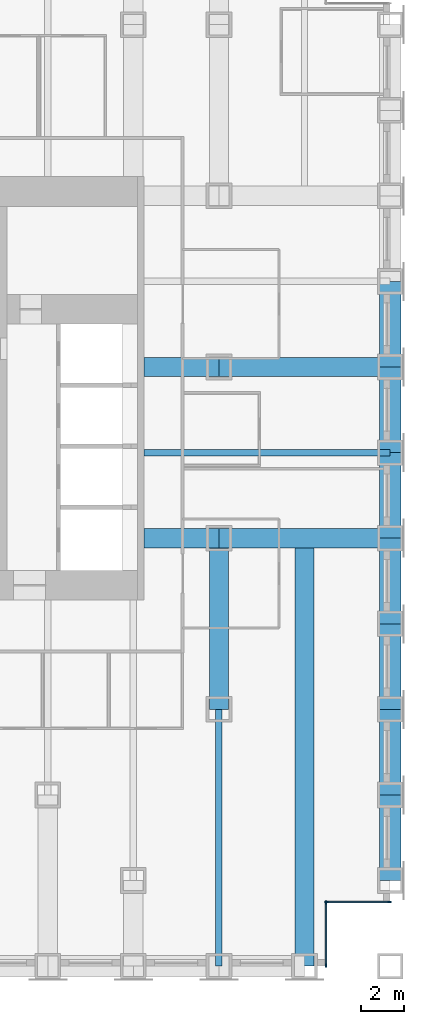
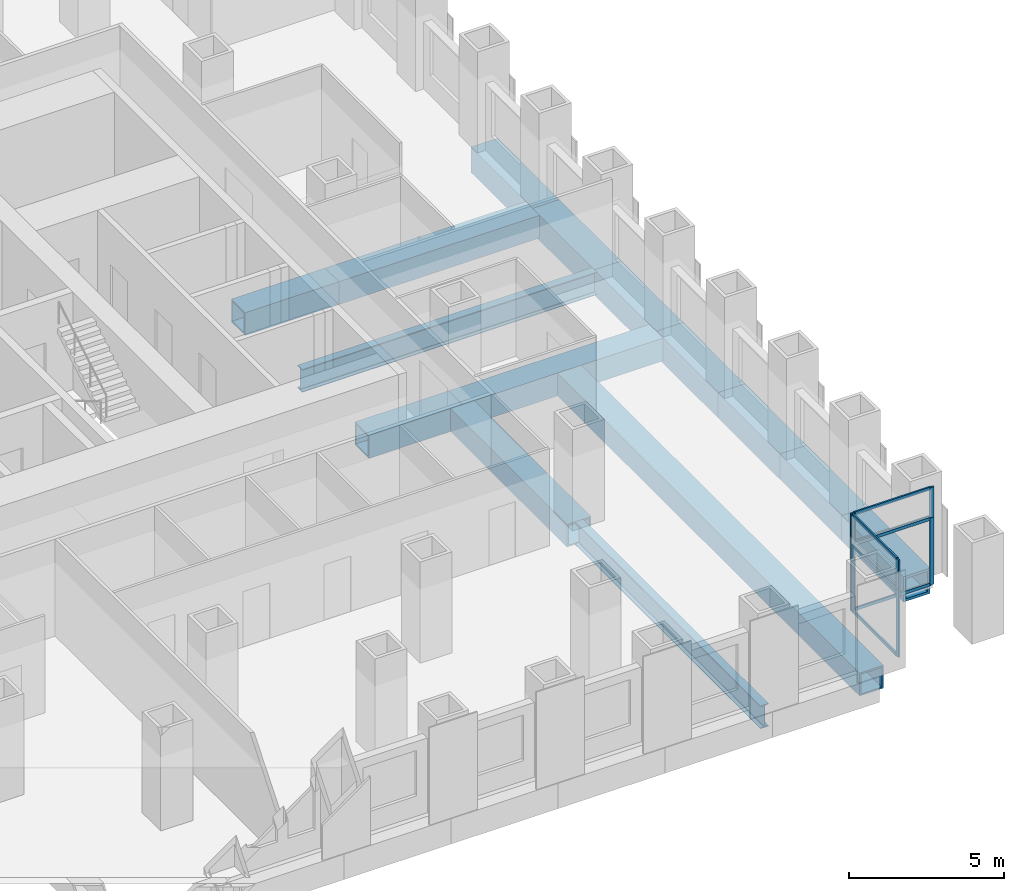
# One storey, part 4 of 15: 16 members, 15 beams, 4 elements without a shape of their own.
"""IFC4 building model written with IfcOpenShell, lengths in metres."""

from ifc_helpers import new_model, si_unit, direction, frame, origin, origin_2d, place, context, subcontext, project, spatial, rectangle, hollow_rectangle, i_section, extrude, material, material_profile, profile_set, type_object, element, aggregate, save


model = new_model("IFC4")

# Units and contexts
model_context = context("Model", 3, precision=1e-05, world=origin(), true_north=direction((0.0, 1.0)))
body_context = subcontext(model_context, "Body", "Model", "MODEL_VIEW")
ifc_project = project(units=[si_unit("LENGTHUNIT", "METRE"), si_unit("AREAUNIT", "SQUARE_METRE"), si_unit("VOLUMEUNIT", "CUBIC_METRE"), si_unit("PLANEANGLEUNIT", "RADIAN"), si_unit("MASSUNIT", "GRAM", prefix="KILO")], contexts=[model_context])

# Site, building, storey
site_placement = place(None, origin())
site = spatial("IfcSite", under=ifc_project, at=site_placement, CompositionType="ELEMENT")
building_placement = place(site_placement, origin())
building = spatial("IfcBuilding", under=site, at=building_placement, Name="Rimbunsela Tower", CompositionType="ELEMENT")
storey_placement = place(building_placement, frame((0.0, 0.0, 67.0)))
storey = spatial("IfcBuildingStorey", under=building, at=storey_placement, Name="L16", CompositionType="ELEMENT", Elevation=67.0)

# Beams
ifc_material_1 = material(Name="Steel BJ 55 (fy 410 MPa)", Category="steel")
ifc_material_profile_1 = material_profile(ifc_material_1, hollow_rectangle(XDim=1.0, YDim=1.0, WallThickness=0.10009765625, at=origin_2d()), Name="BOX 1000x1000x100")
ifc_profile_set_1 = profile_set([ifc_material_profile_1], Name="Steel BJ 55 (fy 410 MPa)")
beam_type_1 = type_object("IfcBeamType", Name="Beam BOX 1000x1000x100", PredefinedType="BEAM", material=ifc_profile_set_1)
for number, where, z_axis, x_axis, name in (
    (1, (54.0, 4.0, -0.64990234375), (0.0, 1.0, 0.0), (-1.0, 0.0, 0.0), "Beam B3 L16"),
    (2, (54.0, 8.0, -0.64990234375), (0.0, 1.0, 0.0), (-1.0, 0.0, 0.0), "Beam B3 L16"),
    (3, (54.0, 12.0, -0.64990234375), (0.0, 1.0, 0.0), (-1.0, 0.0, 0.0), "Beam B3 L16"),
    (4, (54.0, 16.0, -0.64990234375), (0.0, 1.0, 0.0), (-1.0, 0.0, 0.0), "Beam B3 L16"),
    (5, (54.0, 20.0, -0.64990234375), (0.0, 1.0, 0.0), (-1.0, 0.0, 0.0), "Beam B3 L16"),
    (6, (54.0, 24.0, -0.64990234375), (0.0, 1.0, 0.0), (-1.0, 0.0, 0.0), "Beam B3 L16"),
    (7, (54.0, 28.0, -0.64990234375), (0.0, 1.0, 0.0), (-1.0, 0.0, 0.0), "Beam B3 L16"),
):
    element("IfcBeam", number, at=place(storey_placement, frame(where, z_axis=z_axis, x_axis=x_axis)), inside=storey, type_object=beam_type_1, Name=name, PredefinedType="BEAM", context=body_context, shape_type="SweptSolid", body=[
        extrude(hollow_rectangle(XDim=1.0, YDim=1.0, WallThickness=0.10009765625, at=origin_2d()), origin(), (0.0, 0.0, 1.0), 4.0),
    ])
ifc_material_2 = material(Name="Steel BJ 55 (fy 410 MPa)", Category="steel")
ifc_material_profile_2 = material_profile(ifc_material_2, hollow_rectangle(XDim=0.89990234375, YDim=0.89990234375, WallThickness=0.06005859375, at=origin_2d()), Name="BOX 900x900x60")
ifc_profile_set_2 = profile_set([ifc_material_profile_2], Name="Steel BJ 55 (fy 410 MPa)")
beam_type_2 = type_object("IfcBeamType", Name="Beam BOX 900x900x60", PredefinedType="BEAM", material=ifc_profile_set_2)
for number, where, z_axis, x_axis, name in (
    (8, (42.5, 20.0, -0.60009765625), (1.0, 0.0, 0.0), (0.0, 1.0, 0.0), "Beam B1 L16"),
    (9, (42.5, 28.0, -0.60009765625), (1.0, 0.0, 0.0), (0.0, 1.0, 0.0), "Beam B1 L16"),
):
    element("IfcBeam", number, at=place(storey_placement, frame(where, z_axis=z_axis, x_axis=x_axis)), inside=storey, type_object=beam_type_2, Name=name, PredefinedType="BEAM", context=body_context, shape_type="SweptSolid", body=[
        extrude(hollow_rectangle(XDim=0.89990234375, YDim=0.89990234375, WallThickness=0.06005859375, at=origin_2d()), origin(), (0.0, 0.0, 1.0), 3.5),
    ])
for number, where, z_axis, x_axis, name in (
    (10, (46.0, 12.0, -0.60009765625), (0.0, 1.0, 0.0), (-1.0, 0.0, 0.0), "Beam B1 L16"),
    (11, (46.0, 20.0, -0.60009765625), (1.0, 0.0, 0.0), (0.0, 1.0, 0.0), "Beam B1 L16"),
    (12, (46.0, 28.0, -0.60009765625), (1.0, 0.0, 0.0), (0.0, 1.0, 0.0), "Beam B1 L16"),
):
    element("IfcBeam", number, at=place(storey_placement, frame(where, z_axis=z_axis, x_axis=x_axis)), inside=storey, type_object=beam_type_2, Name=name, PredefinedType="BEAM", context=body_context, shape_type="SweptSolid", body=[
        extrude(hollow_rectangle(XDim=0.89990234375, YDim=0.89990234375, WallThickness=0.06005859375, at=origin_2d()), origin(), (0.0, 0.0, 1.0), 8.0),
    ])
beam_1_placement = place(storey_placement, frame((50.0, 0.0, -0.60009765625), z_axis=(0.0, 1.0, 0.0), x_axis=(-1.0, 0.0, 0.0)))
element("IfcBeam", 13, at=beam_1_placement, inside=storey, type_object=beam_type_2, Name="Beam B1 L16", PredefinedType="BEAM", context=body_context, shape_type="SweptSolid", body=[
    extrude(hollow_rectangle(XDim=0.89990234375, YDim=0.89990234375, WallThickness=0.06005859375, at=origin_2d()), origin(), (0.0, 0.0, 1.0), 19.550048828125),
])
ifc_material_3 = material(Name="Steel BJ 55 (fy 410 MPa)", Category="steel")
ifc_material_profile_3 = material_profile(ifc_material_3, i_section(OverallWidth=0.300048828125, OverallDepth=0.89990234375, WebThickness=0.01611328125, FlangeThickness=0.028076171875, FilletRadius=0.028076171875, at=origin_2d()), Name="H 900x300x16x28")
ifc_profile_set_3 = profile_set([ifc_material_profile_3], Name="Steel BJ 55 (fy 410 MPa)")
beam_type_3 = type_object("IfcBeamType", Name="Beam H 900x300x16x28", PredefinedType="BEAM", material=ifc_profile_set_3)
beam_2_placement = place(storey_placement, frame((42.5, 24.0, -0.60009765625), z_axis=(1.0, 0.0, 0.0), x_axis=(0.0, 1.0, 0.0)))
element("IfcBeam", 14, at=beam_2_placement, inside=storey, type_object=beam_type_3, Name="Beam B2 L16", PredefinedType="BEAM", context=body_context, shape_type="SweptSolid", body=[
    extrude(i_section(OverallWidth=0.300048828125, OverallDepth=0.89990234375, WebThickness=0.01611328125, FlangeThickness=0.028076171875, FilletRadius=0.028076171875, at=origin_2d()), origin(), (0.0, 0.0, 1.0), 11.5),
])
beam_3_placement = place(storey_placement, frame((46.0, 0.0, -0.60009765625), z_axis=(0.0, 1.0, 0.0), x_axis=(-1.0, 0.0, 0.0)))
element("IfcBeam", 15, at=beam_3_placement, inside=storey, type_object=beam_type_3, Name="Beam B2 L16", PredefinedType="BEAM", context=body_context, shape_type="SweptSolid", body=[
    extrude(i_section(OverallWidth=0.300048828125, OverallDepth=0.89990234375, WebThickness=0.01611328125, FlangeThickness=0.028076171875, FilletRadius=0.028076171875, at=origin_2d()), origin(), (0.0, 0.0, 1.0), 12.0),
])

# Curtain wall, members
ifc_material_4 = material(Name="Aluminium curtain wall", Category="aluminium")
curtain_wall_type_1 = type_object("IfcCurtainWallType", Name="Corner glazing", PredefinedType="USERDEFINED", material=ifc_material_4)
curtain_wall_1_placement = place(storey_placement, origin())
curtain_wall_1 = element("IfcCurtainWall", 16, at=curtain_wall_1_placement, inside=storey, type_object=curtain_wall_type_1, Name="Corner glazing L16", ObjectType="CORNER GLAZING", PredefinedType="USERDEFINED")
ifc_material_5 = material(Name="Aluminium mullion", Category="aluminium")
ifc_material_profile_4 = material_profile(ifc_material_5, rectangle(XDim=0.06005859375, YDim=0.159912109375, at=origin_2d()), Name="Mullion 60x160")
ifc_profile_set_4 = profile_set([ifc_material_profile_4], Name="Aluminium mullion")
member_type_1 = type_object("IfcMemberType", Name="Curtain wall mullion 60x160", PredefinedType="MULLION", material=ifc_profile_set_4)
member_1_placement = place(storey_placement, frame((51.0, 0.030029296875, 0.0), z_axis=(0.0, 0.0, 1.0), x_axis=(-1.0, 0.0, 0.0)))
member_1 = element("IfcMember", 17, at=member_1_placement, type_object=member_type_1, Name="CW5 mullion 1", PredefinedType="MULLION", context=body_context, shape_type="SweptSolid", body=[
    extrude(rectangle(XDim=0.06005859375, YDim=0.159912109375, at=origin_2d()), origin(), (0.0, 0.0, 1.0), 2.64990234375),
])
member_2_placement = place(storey_placement, frame((51.0, 2.969970703125, 0.0), z_axis=(0.0, 0.0, 1.0), x_axis=(-1.0, 0.0, 0.0)))
member_2 = element("IfcMember", 18, at=member_2_placement, type_object=member_type_1, Name="CW5 mullion 2", PredefinedType="MULLION", context=body_context, shape_type="SweptSolid", body=[
    extrude(rectangle(XDim=0.06005859375, YDim=0.159912109375, at=origin_2d()), origin(), (0.0, 0.0, 1.0), 2.64990234375),
])

ifc_material_6 = material(Name="Aluminium curtain wall", Category="aluminium")
curtain_wall_type_2 = type_object("IfcCurtainWallType", Name="Spandrel wall", PredefinedType="USERDEFINED", material=ifc_material_6)
curtain_wall_2_placement = place(storey_placement, origin())
curtain_wall_2 = element("IfcCurtainWall", 19, at=curtain_wall_2_placement, inside=storey, type_object=curtain_wall_type_2, Name="Spandrel wall L16", ObjectType="SPANDREL WALL", PredefinedType="USERDEFINED")
member_3_placement = place(storey_placement, frame((51.0, 0.030029296875, 2.64990234375), z_axis=(0.0, 0.0, 1.0), x_axis=(-1.0, 0.0, 0.0)))
member_3 = element("IfcMember", 20, at=member_3_placement, type_object=member_type_1, Name="CW7 mullion 1", PredefinedType="MULLION", context=body_context, shape_type="SweptSolid", body=[
    extrude(rectangle(XDim=0.06005859375, YDim=0.159912109375, at=origin_2d()), origin(), (0.0, 0.0, 1.0), 1.2001953125),
])
member_4_placement = place(storey_placement, frame((51.0, 2.969970703125, 2.64990234375), z_axis=(0.0, 0.0, 1.0), x_axis=(-1.0, 0.0, 0.0)))
member_4 = element("IfcMember", 21, at=member_4_placement, type_object=member_type_1, Name="CW7 mullion 2", PredefinedType="MULLION", context=body_context, shape_type="SweptSolid", body=[
    extrude(rectangle(XDim=0.06005859375, YDim=0.159912109375, at=origin_2d()), origin(), (0.0, 0.0, 1.0), 1.2001953125),
])

curtain_wall_3_placement = place(storey_placement, origin())
curtain_wall_3 = element("IfcCurtainWall", 22, at=curtain_wall_3_placement, inside=storey, type_object=curtain_wall_type_1, Name="Corner glazing L16", ObjectType="CORNER GLAZING", PredefinedType="USERDEFINED")
member_5_placement = place(storey_placement, frame((51.030029296875, 3.0, 0.0), z_axis=(0.0, 0.0, 1.0), x_axis=(0.0, 1.0, 0.0)))
member_5 = element("IfcMember", 23, at=member_5_placement, type_object=member_type_1, Name="CW5 mullion 1", PredefinedType="MULLION", context=body_context, shape_type="SweptSolid", body=[
    extrude(rectangle(XDim=0.06005859375, YDim=0.159912109375, at=origin_2d()), origin(), (0.0, 0.0, 1.0), 2.64990234375),
])
member_6_placement = place(storey_placement, frame((53.969970703125, 3.0, 0.0), z_axis=(0.0, 0.0, 1.0), x_axis=(0.0, 1.0, 0.0)))
member_6 = element("IfcMember", 24, at=member_6_placement, type_object=member_type_1, Name="CW5 mullion 2", PredefinedType="MULLION", context=body_context, shape_type="SweptSolid", body=[
    extrude(rectangle(XDim=0.06005859375, YDim=0.159912109375, at=origin_2d()), origin(), (0.0, 0.0, 1.0), 2.64990234375),
])

curtain_wall_4_placement = place(storey_placement, origin())
curtain_wall_4 = element("IfcCurtainWall", 25, at=curtain_wall_4_placement, inside=storey, type_object=curtain_wall_type_2, Name="Spandrel wall L16", ObjectType="SPANDREL WALL", PredefinedType="USERDEFINED")
member_7_placement = place(storey_placement, frame((51.030029296875, 3.0, 2.64990234375), z_axis=(0.0, 0.0, 1.0), x_axis=(0.0, 1.0, 0.0)))
member_7 = element("IfcMember", 26, at=member_7_placement, type_object=member_type_1, Name="CW7 mullion 1", PredefinedType="MULLION", context=body_context, shape_type="SweptSolid", body=[
    extrude(rectangle(XDim=0.06005859375, YDim=0.159912109375, at=origin_2d()), origin(), (0.0, 0.0, 1.0), 1.2001953125),
])
member_8_placement = place(storey_placement, frame((53.969970703125, 3.0, 2.64990234375), z_axis=(0.0, 0.0, 1.0), x_axis=(0.0, 1.0, 0.0)))
member_8 = element("IfcMember", 27, at=member_8_placement, type_object=member_type_1, Name="CW7 mullion 2", PredefinedType="MULLION", context=body_context, shape_type="SweptSolid", body=[
    extrude(rectangle(XDim=0.06005859375, YDim=0.159912109375, at=origin_2d()), origin(), (0.0, 0.0, 1.0), 1.2001953125),
])

# Member
ifc_material_7 = material(Name="Aluminium transom", Category="aluminium")
ifc_material_profile_5 = material_profile(ifc_material_7, rectangle(XDim=0.06005859375, YDim=0.1201171875, at=origin_2d()), Name="Transom 60x120")
ifc_profile_set_5 = profile_set([ifc_material_profile_5], Name="Aluminium transom")
member_type_2 = type_object("IfcMemberType", Name="Curtain wall transom 60x120", PredefinedType="USERDEFINED", material=ifc_profile_set_5)
member_9_placement = place(storey_placement, frame((51.0, 0.06005859375, 0.030029296875), z_axis=(0.0, 1.0, 0.0), x_axis=(-1.0, 0.0, 0.0)))
member_9 = element("IfcMember", 28, at=member_9_placement, type_object=member_type_2, Name="CW5 transom 1.1", ObjectType="TRANSOM", PredefinedType="USERDEFINED", context=body_context, shape_type="SweptSolid", body=[
    extrude(rectangle(XDim=0.06005859375, YDim=0.1201171875, at=origin_2d()), origin(), (0.0, 0.0, 1.0), 2.8798828125),
])

member_10_placement = place(storey_placement, frame((51.0, 0.06005859375, 2.6201171875), z_axis=(0.0, 1.0, 0.0), x_axis=(-1.0, 0.0, 0.0)))
member_10 = element("IfcMember", 29, at=member_10_placement, type_object=member_type_2, Name="CW5 transom 1.2", ObjectType="TRANSOM", PredefinedType="USERDEFINED", context=body_context, shape_type="SweptSolid", body=[
    extrude(rectangle(XDim=0.06005859375, YDim=0.1201171875, at=origin_2d()), origin(), (0.0, 0.0, 1.0), 2.8798828125),
])

aggregate(curtain_wall_1, [member_1, member_2, member_9, member_10])

member_11_placement = place(storey_placement, frame((51.0, 0.06005859375, 2.679931640625), z_axis=(0.0, 1.0, 0.0), x_axis=(-1.0, 0.0, 0.0)))
member_11 = element("IfcMember", 30, at=member_11_placement, type_object=member_type_2, Name="CW7 transom 1.1", ObjectType="TRANSOM", PredefinedType="USERDEFINED", context=body_context, shape_type="SweptSolid", body=[
    extrude(rectangle(XDim=0.06005859375, YDim=0.1201171875, at=origin_2d()), origin(), (0.0, 0.0, 1.0), 2.8798828125),
])

member_12_placement = place(storey_placement, frame((51.0, 0.06005859375, 3.820068359375), z_axis=(0.0, 1.0, 0.0), x_axis=(-1.0, 0.0, 0.0)))
member_12 = element("IfcMember", 31, at=member_12_placement, type_object=member_type_2, Name="CW7 transom 1.2", ObjectType="TRANSOM", PredefinedType="USERDEFINED", context=body_context, shape_type="SweptSolid", body=[
    extrude(rectangle(XDim=0.06005859375, YDim=0.1201171875, at=origin_2d()), origin(), (0.0, 0.0, 1.0), 2.8798828125),
])

aggregate(curtain_wall_2, [member_3, member_4, member_11, member_12])

member_13_placement = place(storey_placement, frame((51.06005859375, 3.0, 0.030029296875), z_axis=(1.0, 0.0, 0.0), x_axis=(0.0, 1.0, 0.0)))
member_13 = element("IfcMember", 32, at=member_13_placement, type_object=member_type_2, Name="CW5 transom 1.1", ObjectType="TRANSOM", PredefinedType="USERDEFINED", context=body_context, shape_type="SweptSolid", body=[
    extrude(rectangle(XDim=0.06005859375, YDim=0.1201171875, at=origin_2d()), origin(), (0.0, 0.0, 1.0), 2.8798828125),
])

member_14_placement = place(storey_placement, frame((51.06005859375, 3.0, 2.6201171875), z_axis=(1.0, 0.0, 0.0), x_axis=(0.0, 1.0, 0.0)))
member_14 = element("IfcMember", 33, at=member_14_placement, type_object=member_type_2, Name="CW5 transom 1.2", ObjectType="TRANSOM", PredefinedType="USERDEFINED", context=body_context, shape_type="SweptSolid", body=[
    extrude(rectangle(XDim=0.06005859375, YDim=0.1201171875, at=origin_2d()), origin(), (0.0, 0.0, 1.0), 2.8798828125),
])

aggregate(curtain_wall_3, [member_5, member_6, member_13, member_14])

member_15_placement = place(storey_placement, frame((51.06005859375, 3.0, 2.679931640625), z_axis=(1.0, 0.0, 0.0), x_axis=(0.0, 1.0, 0.0)))
member_15 = element("IfcMember", 34, at=member_15_placement, type_object=member_type_2, Name="CW7 transom 1.1", ObjectType="TRANSOM", PredefinedType="USERDEFINED", context=body_context, shape_type="SweptSolid", body=[
    extrude(rectangle(XDim=0.06005859375, YDim=0.1201171875, at=origin_2d()), origin(), (0.0, 0.0, 1.0), 2.8798828125),
])

member_16_placement = place(storey_placement, frame((51.06005859375, 3.0, 3.820068359375), z_axis=(1.0, 0.0, 0.0), x_axis=(0.0, 1.0, 0.0)))
member_16 = element("IfcMember", 35, at=member_16_placement, type_object=member_type_2, Name="CW7 transom 1.2", ObjectType="TRANSOM", PredefinedType="USERDEFINED", context=body_context, shape_type="SweptSolid", body=[
    extrude(rectangle(XDim=0.06005859375, YDim=0.1201171875, at=origin_2d()), origin(), (0.0, 0.0, 1.0), 2.8798828125),
])

aggregate(curtain_wall_4, [member_7, member_8, member_15, member_16])

save(model, "model.ifc")
